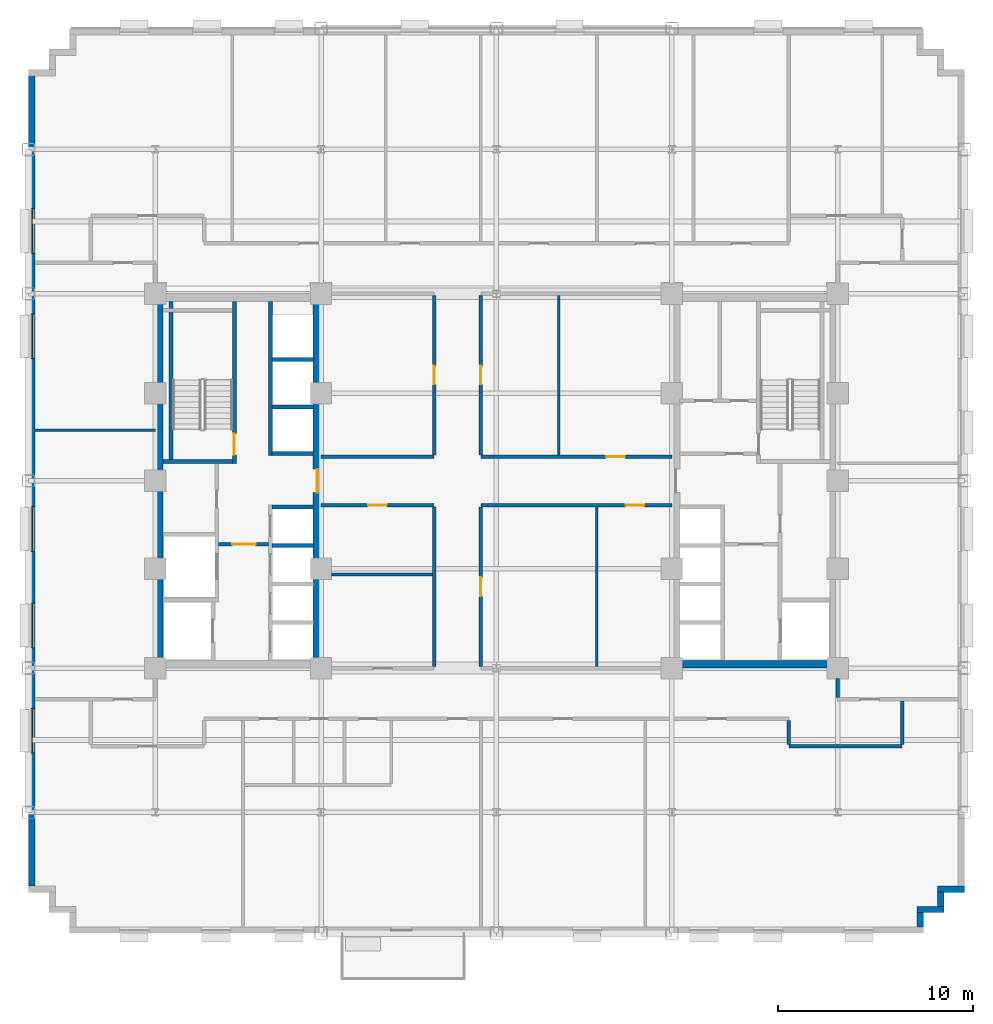
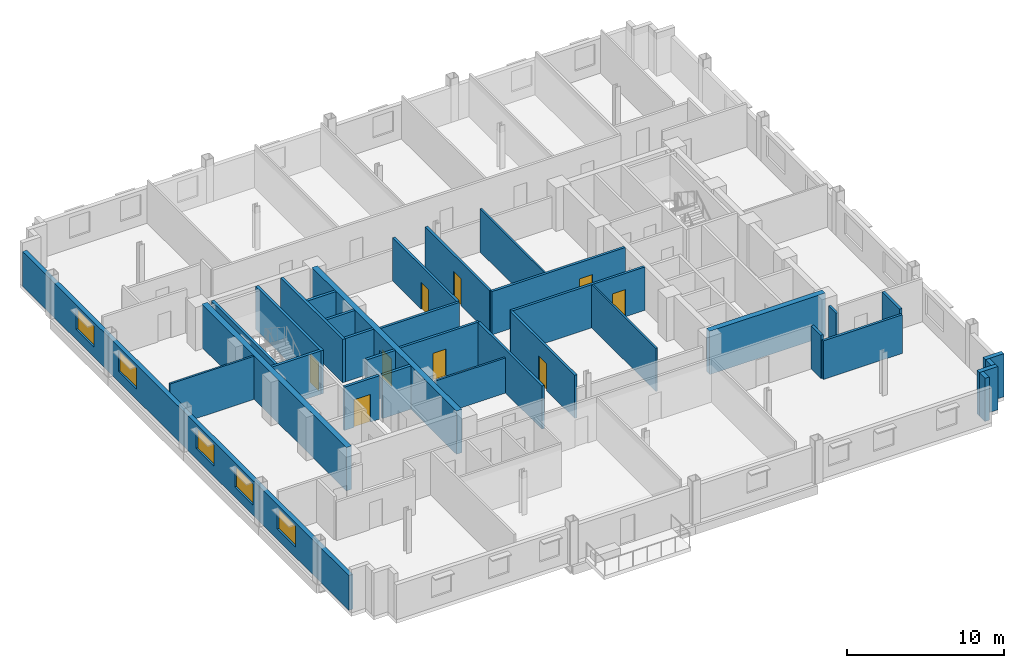
# One storey, part 7 of 14: 34 walls, 9 doors, 5 windows, 14 openings.
"""IFC4 building model written with IfcOpenShell, lengths in metres."""

from ifc_helpers import new_model, si_unit, direction, frame, frame_2d, origin, place, context, subcontext, project, spatial, rectangle, extrude, source, transform, mapped, material, layer, layer_set, type_object, type_shapes, element, fill, save


model = new_model("IFC4")

# Units and contexts
model_context = context("Model", 3, precision=1e-05, world=origin(), true_north=direction((0.0, 1.0)))
body_context = subcontext(model_context, "Body", "Model", "MODEL_VIEW")
ifc_project = project(units=[si_unit("LENGTHUNIT", "METRE"), si_unit("AREAUNIT", "SQUARE_METRE"), si_unit("VOLUMEUNIT", "CUBIC_METRE"), si_unit("PLANEANGLEUNIT", "RADIAN"), si_unit("MASSUNIT", "GRAM", prefix="KILO")], contexts=[model_context])

# Site, building, storey
site_placement = place(None, origin())
site = spatial("IfcSite", under=ifc_project, at=site_placement, CompositionType="ELEMENT")
building_placement = place(site_placement, origin())
building = spatial("IfcBuilding", under=site, at=building_placement, Name="Nuvemarco Arch Tower", CompositionType="ELEMENT")
storey_placement = place(building_placement, frame((0.0, 0.0, 109.25)))
storey = spatial("IfcBuildingStorey", under=building, at=storey_placement, Name="L28", CompositionType="ELEMENT", Elevation=109.25)

# Walls
ifc_material_1 = material(Name="Precast concrete C45/55", Category="concrete")
ifc_layer_1 = layer(ifc_material_1, 0.320068359375, Name="EW-MID-320")
ifc_layer_set_1 = layer_set([ifc_layer_1], Name="Precast concrete C45/55")
wall_type_1 = type_object("IfcWallType", Name="EW-MID-320", PredefinedType="STANDARD", material=ifc_layer_set_1)
wall_1_placement = place(storey_placement, frame((21.739990234375, -22.884033203125, 0.0), z_axis=(0.0, 0.0, 1.0), x_axis=(0.0, 1.0, 0.0)))
element("IfcWall", 1, at=wall_1_placement, inside=storey, type_object=wall_type_1, Name="L28 exterior precast facade wall 2", PredefinedType="STANDARD", context=body_context, shape_type="SweptSolid", body=[
    extrude(rectangle(XDim=0.738037109375, YDim=0.320068359375, at=frame_2d((0.369140625, 0.0))), origin(), (0.0, 0.0, 1.0), 3.360107421875),
])
wall_2_placement = place(storey_placement, frame((21.580078125, -21.989990234375, 0.0), z_axis=(0.0, 0.0, 1.0), x_axis=(1.0, 0.0, 0.0)))
element("IfcWall", 2, at=wall_2_placement, inside=storey, type_object=wall_type_1, Name="L28 exterior precast facade wall 3", PredefinedType="STANDARD", context=body_context, shape_type="SweptSolid", body=[
    extrude(rectangle(XDim=1.369873046875, YDim=0.320068359375, at=frame_2d((0.68505859375, 0.0))), origin(), (0.0, 0.0, 1.0), 3.360107421875),
])
wall_3_placement = place(storey_placement, frame((22.7900390625, -21.833984375, 0.0), z_axis=(0.0, 0.0, 1.0), x_axis=(0.0, 1.0, 0.0)))
element("IfcWall", 3, at=wall_3_placement, inside=storey, type_object=wall_type_1, Name="L28 exterior precast facade wall 4", PredefinedType="STANDARD", context=body_context, shape_type="SweptSolid", body=[
    extrude(rectangle(XDim=0.738037109375, YDim=0.320068359375, at=frame_2d((0.369140625, 0.0))), origin(), (0.0, 0.0, 1.0), 3.360107421875),
])
wall_4_placement = place(storey_placement, frame((22.6298828125, -20.93994140625, 0.0), z_axis=(0.0, 0.0, 1.0), x_axis=(1.0, 0.0, 0.0)))
element("IfcWall", 4, at=wall_4_placement, inside=storey, type_object=wall_type_1, Name="L28 exterior precast facade wall 5", PredefinedType="STANDARD", context=body_context, shape_type="SweptSolid", body=[
    extrude(rectangle(XDim=1.3701171875, YDim=0.320068359375, at=frame_2d((0.68505859375, 0.0))), origin(), (0.0, 0.0, 1.0), 3.360107421875),
])

# Wall, openings, windows
wall_5_placement = place(storey_placement, frame((-23.840087890625, -20.783935546875, 0.0), z_axis=(0.0, 0.0, 1.0), x_axis=(0.0, 1.0, 0.0)))
wall_5 = element("IfcWall", 5, at=wall_5_placement, inside=storey, type_object=wall_type_1, Name="L28 exterior precast facade wall 16", PredefinedType="STANDARD", context=body_context, shape_type="SweptSolid", body=[
    extrude(rectangle(XDim=41.56787109375, YDim=0.320068359375, at=frame_2d((20.783935546875, 0.0))), origin(), (0.0, 0.0, 1.0), 2.705078125),
])
opening_1_placement = place(wall_5_placement, frame((6.819091796875, 0.0, 0.800048828125)))
opening_1 = element("IfcOpeningElement", 6, at=opening_1_placement, cuts=wall_5, Name="Opening WN-10", PredefinedType="OPENING", context=body_context, shape_type="SweptSolid", body=[
    extrude(rectangle(XDim=2.300048828125, YDim=1.6201171875, at=frame_2d((1.14990234375, 0.81005859375))), frame((0.0, 0.169921875, 0.0), z_axis=(0.0, -1.0, 0.0), x_axis=(1.0, 0.0, 0.0)), (0.0, 0.0, 1.0), 0.340087890625),
])
opening_2_placement = place(wall_5_placement, frame((12.215087890625, 0.0, 0.800048828125)))
opening_2 = element("IfcOpeningElement", 7, at=opening_2_placement, cuts=wall_5, Name="Opening WN-10", PredefinedType="OPENING", context=body_context, shape_type="SweptSolid", body=[
    extrude(rectangle(XDim=2.300048828125, YDim=1.6201171875, at=frame_2d((1.14990234375, 0.81005859375))), frame((0.0, 0.169921875, 0.0), z_axis=(0.0, -1.0, 0.0), x_axis=(1.0, 0.0, 0.0)), (0.0, 0.0, 1.0), 0.340087890625),
])
opening_3_placement = place(wall_5_placement, frame((17.160888671875, 0.0, 0.800048828125)))
opening_3 = element("IfcOpeningElement", 8, at=opening_3_placement, cuts=wall_5, Name="Opening WN-10", PredefinedType="OPENING", context=body_context, shape_type="SweptSolid", body=[
    extrude(rectangle(XDim=2.300048828125, YDim=1.6201171875, at=frame_2d((1.14990234375, 0.81005859375))), frame((0.0, 0.169921875, 0.0), z_axis=(0.0, -1.0, 0.0), x_axis=(1.0, 0.0, 0.0)), (0.0, 0.0, 1.0), 0.340087890625),
])
opening_4_placement = place(wall_5_placement, frame((27.052978515625, 0.0, 0.800048828125)))
opening_4 = element("IfcOpeningElement", 9, at=opening_4_placement, cuts=wall_5, Name="Opening WN-10", PredefinedType="OPENING", context=body_context, shape_type="SweptSolid", body=[
    extrude(rectangle(XDim=2.300048828125, YDim=1.6201171875, at=frame_2d((1.14990234375, 0.81005859375))), frame((0.0, 0.169921875, 0.0), z_axis=(0.0, -1.0, 0.0), x_axis=(1.0, 0.0, 0.0)), (0.0, 0.0, 1.0), 0.340087890625),
])
opening_5_placement = place(wall_5_placement, frame((32.448974609375, 0.0, 0.800048828125)))
opening_5 = element("IfcOpeningElement", 10, at=opening_5_placement, cuts=wall_5, Name="Opening WN-10", PredefinedType="OPENING", context=body_context, shape_type="SweptSolid", body=[
    extrude(rectangle(XDim=2.300048828125, YDim=1.6201171875, at=frame_2d((1.14990234375, 0.81005859375))), frame((0.0, 0.169921875, 0.0), z_axis=(0.0, -1.0, 0.0), x_axis=(1.0, 0.0, 0.0)), (0.0, 0.0, 1.0), 0.340087890625),
])
ifc_material_2 = material(Name="Insulated solar-control glass", Category="glass")
window_type = type_object("IfcWindowType", Name="WN-STEP-2300x1700", PartitioningType="DOUBLE_PANEL_VERTICAL", PredefinedType="WINDOW", material=ifc_material_2)
shared_shape_1 = source(origin(), body_context, "Body", "SweptSolid", [
    extrude(rectangle(XDim=2.300048828125, YDim=1.6201171875, at=frame_2d((1.14990234375, 0.81005859375))), frame((0.0, 0.030029296875, 0.0), z_axis=(0.0, -1.0, 0.0), x_axis=(1.0, 0.0, 0.0)), (0.0, 0.0, 1.0), 0.06005859375),
])
type_shapes(window_type, [shared_shape_1])
window_1_placement = place(opening_1_placement, origin())
window_1 = element("IfcWindow", 11, at=window_1_placement, inside=storey, type_object=window_type, Name="L28 punched facade window 2", OverallHeight=1.6201171875, OverallWidth=2.300048828125, PartitioningType="SINGLE_PANEL", PredefinedType="WINDOW", context=body_context, shape_type="MappedRepresentation", body=[
    mapped(shared_shape_1, transform((0.0, 0.0, 0.0), scale=1.0)),
])
fill(opening_1, window_1)
window_2_placement = place(opening_2_placement, origin())
window_2 = element("IfcWindow", 12, at=window_2_placement, inside=storey, type_object=window_type, Name="L28 punched facade window 3", OverallHeight=1.6201171875, OverallWidth=2.300048828125, PartitioningType="SINGLE_PANEL", PredefinedType="WINDOW", context=body_context, shape_type="MappedRepresentation", body=[
    mapped(shared_shape_1, transform((0.0, 0.0, 0.0), scale=1.0)),
])
fill(opening_2, window_2)
window_3_placement = place(opening_3_placement, origin())
window_3 = element("IfcWindow", 13, at=window_3_placement, inside=storey, type_object=window_type, Name="L28 punched facade window 4", OverallHeight=1.6201171875, OverallWidth=2.300048828125, PartitioningType="SINGLE_PANEL", PredefinedType="WINDOW", context=body_context, shape_type="MappedRepresentation", body=[
    mapped(shared_shape_1, transform((0.0, 0.0, 0.0), scale=1.0)),
])
fill(opening_3, window_3)
window_4_placement = place(opening_4_placement, origin())
window_4 = element("IfcWindow", 14, at=window_4_placement, inside=storey, type_object=window_type, Name="L28 punched facade window 6", OverallHeight=1.6201171875, OverallWidth=2.300048828125, PartitioningType="SINGLE_PANEL", PredefinedType="WINDOW", context=body_context, shape_type="MappedRepresentation", body=[
    mapped(shared_shape_1, transform((0.0, 0.0, 0.0), scale=1.0)),
])
fill(opening_4, window_4)
window_5_placement = place(opening_5_placement, origin())
window_5 = element("IfcWindow", 15, at=window_5_placement, inside=storey, type_object=window_type, Name="L28 punched facade window 7", OverallHeight=1.6201171875, OverallWidth=2.300048828125, PartitioningType="SINGLE_PANEL", PredefinedType="WINDOW", context=body_context, shape_type="MappedRepresentation", body=[
    mapped(shared_shape_1, transform((0.0, 0.0, 0.0), scale=1.0)),
])
fill(opening_5, window_5)

# Wall
ifc_material_3 = material(Name="Concrete C60/75", Category="concrete")
ifc_layer_2 = layer(ifc_material_3, 0.39990234375, Name="WL-CORE-400")
ifc_layer_set_2 = layer_set([ifc_layer_2], Name="Concrete C60/75")
wall_type_2 = type_object("IfcWallType", Name="WL-CORE-400", PredefinedType="SHEAR", material=ifc_layer_set_2)
wall_6_placement = place(storey_placement, frame((-17.300048828125, -9.205078125, 0.0), z_axis=(0.0, 0.0, 1.0), x_axis=(0.0, 1.0, 0.0)))
element("IfcWall", 16, at=wall_6_placement, inside=storey, type_object=wall_type_2, Name="L28 W-core shear wall W", PredefinedType="SHEAR", context=body_context, shape_type="SweptSolid", body=[
    extrude(rectangle(XDim=18.41015625, YDim=0.39990234375, at=frame_2d((9.205078125, 0.0))), origin(), (0.0, 0.0, 1.0), 3.3701171875),
])

# Wall, opening, door
wall_7_placement = place(storey_placement, frame((-9.199951171875, -9.205078125, 0.0), z_axis=(0.0, 0.0, 1.0), x_axis=(0.0, 1.0, 0.0)))
wall_7 = element("IfcWall", 17, at=wall_7_placement, inside=storey, type_object=wall_type_2, Name="L28 W-core shear wall E", PredefinedType="SHEAR", context=body_context, shape_type="SweptSolid", body=[
    extrude(rectangle(XDim=18.41015625, YDim=0.39990234375, at=frame_2d((9.205078125, 0.0))), origin(), (0.0, 0.0, 1.0), 3.3701171875),
])
opening_6_placement = place(wall_7_placement, frame((8.60498046875, 0.0, 0.0)))
opening_6 = element("IfcOpeningElement", 18, at=opening_6_placement, cuts=wall_7, Name="Opening FD-2", PredefinedType="OPENING", context=body_context, shape_type="SweptSolid", body=[
    extrude(rectangle(XDim=1.199951171875, YDim=2.14990234375, at=frame_2d((0.60009765625, 1.074951171875))), frame((0.0, 0.2099609375, 0.0), z_axis=(0.0, -1.0, 0.0), x_axis=(1.0, 0.0, 0.0)), (0.0, 0.0, 1.0), 0.419921875),
])
ifc_material_4 = material(Name="Anodised steel fire door", Category="steel")
door_type_1 = type_object("IfcDoorType", Name="DR-FFLOB-FD", OperationType="NOTDEFINED", PredefinedType="DOOR", material=ifc_material_4)
shared_shape_2 = source(origin(), body_context, "Body", "SweptSolid", [
    extrude(rectangle(XDim=1.199951171875, YDim=2.14990234375, at=frame_2d((0.60009765625, 1.074951171875))), frame((0.0, 0.02490234375, 0.0), z_axis=(0.0, -1.0, 0.0), x_axis=(1.0, 0.0, 0.0)), (0.0, 0.0, 1.0), 0.050048828125),
])
type_shapes(door_type_1, [shared_shape_2])
door_1_placement = place(opening_6_placement, origin())
door_1 = element("IfcDoor", 19, at=door_1_placement, inside=storey, type_object=door_type_1, Name="L28 door FD-L28-WCORE-E", OperationType="SINGLE_SWING_LEFT", OverallHeight=2.14990234375, OverallWidth=1.199951171875, PredefinedType="DOOR", context=body_context, shape_type="MappedRepresentation", body=[
    mapped(shared_shape_2, transform((0.0, 0.0, 0.0), scale=1.0)),
])
fill(opening_6, door_1)

# Walls
wall_8_placement = place(storey_placement, frame((9.0, -9.39990234375, 0.0), z_axis=(0.0, 0.0, 1.0), x_axis=(1.0, 0.0, 0.0)))
element("IfcWall", 20, at=wall_8_placement, inside=storey, type_object=wall_type_2, Name="L28 E-core shear wall S", PredefinedType="SHEAR", context=body_context, shape_type="SweptSolid", body=[
    extrude(rectangle(XDim=8.5, YDim=0.39990234375, at=frame_2d((4.25, 0.0))), origin(), (0.0, 0.0, 1.0), 3.3701171875),
])
ifc_material_5 = material(Name="Fire-rated gypsum drywall partition")
ifc_layer_3 = layer(ifc_material_5, 0.179931640625, Name="WL-CORR-180")
ifc_layer_set_3 = layer_set([ifc_layer_3], Name="Fire-rated gypsum drywall partition")
wall_type_3 = type_object("IfcWallType", Name="WL-CORR-180", PredefinedType="PARTITIONING", material=ifc_layer_set_3)
wall_9_placement = place(storey_placement, frame((15.0, -13.60009765625, 0.0), z_axis=(0.0, 0.0, 1.0), x_axis=(1.0, 0.0, 0.0)))
element("IfcWall", 21, at=wall_9_placement, inside=storey, type_object=wall_type_3, Name="L28 interior wall IW-L28-003", PredefinedType="PARTITIONING", context=body_context, shape_type="SweptSolid", body=[
    extrude(rectangle(XDim=5.800048828125, YDim=0.179931640625, at=frame_2d((2.89990234375, 0.0))), origin(), (0.0, 0.0, 1.0), 2.998046875),
])

# Wall, opening, door
wall_10_placement = place(storey_placement, frame((-9.0, -1.25, 0.0), z_axis=(0.0, 0.0, 1.0), x_axis=(1.0, 0.0, 0.0)))
wall_10 = element("IfcWall", 22, at=wall_10_placement, inside=storey, type_object=wall_type_3, Name="L28 interior wall IW-L28-011", PredefinedType="PARTITIONING", context=body_context, shape_type="SweptSolid", body=[
    extrude(rectangle(XDim=5.800048828125, YDim=0.179931640625, at=frame_2d((2.89990234375, 0.0))), origin(), (0.0, 0.0, 1.0), 3.360107421875),
])
opening_7_placement = place(wall_10_placement, frame((2.419921875, 0.0, 0.0)))
opening_7 = element("IfcOpeningElement", 23, at=opening_7_placement, cuts=wall_10, Name="Opening FD-5", PredefinedType="OPENING", context=body_context, shape_type="SweptSolid", body=[
    extrude(rectangle(XDim=0.9599609375, YDim=2.10009765625, at=frame_2d((0.47998046875, 1.050048828125))), frame((0.0, 0.099853515625, 0.0), z_axis=(0.0, -1.0, 0.0), x_axis=(1.0, 0.0, 0.0)), (0.0, 0.0, 1.0), 0.199951171875),
])
ifc_material_6 = material(Name="Timber fire door", Category="wood")
door_type_2 = type_object("IfcDoorType", Name="DR-CORR-FD", OperationType="NOTDEFINED", PredefinedType="DOOR", material=ifc_material_6)
shared_shape_3 = source(origin(), body_context, "Body", "SweptSolid", [
    extrude(rectangle(XDim=0.9599609375, YDim=2.10009765625, at=frame_2d((0.47998046875, 1.050048828125))), frame((0.0, 0.02490234375, 0.0), z_axis=(0.0, -1.0, 0.0), x_axis=(1.0, 0.0, 0.0)), (0.0, 0.0, 1.0), 0.050048828125),
])
type_shapes(door_type_2, [shared_shape_3])
door_2_placement = place(opening_7_placement, origin())
door_2 = element("IfcDoor", 24, at=door_2_placement, inside=storey, type_object=door_type_2, Name="L28 door DR-L28-C_SW1", OperationType="SINGLE_SWING_LEFT", OverallHeight=2.10009765625, OverallWidth=0.9599609375, PredefinedType="DOOR", context=body_context, shape_type="MappedRepresentation", body=[
    mapped(shared_shape_3, transform((0.0, 0.0, 0.0), scale=1.0)),
])
fill(opening_7, door_2)

wall_11_placement = place(storey_placement, frame((-0.800048828125, -1.25, 0.0), z_axis=(0.0, 0.0, 1.0), x_axis=(1.0, 0.0, 0.0)))
wall_11 = element("IfcWall", 25, at=wall_11_placement, inside=storey, type_object=wall_type_3, Name="L28 interior wall IW-L28-012", PredefinedType="PARTITIONING", context=body_context, shape_type="SweptSolid", body=[
    extrude(rectangle(XDim=9.800048828125, YDim=0.179931640625, at=frame_2d((4.89990234375, 0.0))), origin(), (0.0, 0.0, 1.0), 3.360107421875),
])
opening_8_placement = place(wall_11_placement, frame((7.419921875, 0.0, 0.0)))
opening_8 = element("IfcOpeningElement", 26, at=opening_8_placement, cuts=wall_11, Name="Opening FD-5", PredefinedType="OPENING", context=body_context, shape_type="SweptSolid", body=[
    extrude(rectangle(XDim=0.9599609375, YDim=2.10009765625, at=frame_2d((0.47998046875, 1.050048828125))), frame((0.0, 0.099853515625, 0.0), z_axis=(0.0, -1.0, 0.0), x_axis=(1.0, 0.0, 0.0)), (0.0, 0.0, 1.0), 0.199951171875),
])
door_3_placement = place(opening_8_placement, origin())
door_3 = element("IfcDoor", 27, at=door_3_placement, inside=storey, type_object=door_type_2, Name="L28 door DR-L28-C_SE2", OperationType="SINGLE_SWING_LEFT", OverallHeight=2.10009765625, OverallWidth=0.9599609375, PredefinedType="DOOR", context=body_context, shape_type="MappedRepresentation", body=[
    mapped(shared_shape_3, transform((0.0, 0.0, 0.0), scale=1.0)),
])
fill(opening_8, door_3)

# Wall
wall_12_placement = place(storey_placement, frame((-9.0, 1.25, 0.0), z_axis=(0.0, 0.0, 1.0), x_axis=(1.0, 0.0, 0.0)))
element("IfcWall", 28, at=wall_12_placement, inside=storey, type_object=wall_type_3, Name="L28 interior wall IW-L28-014", PredefinedType="PARTITIONING", context=body_context, shape_type="SweptSolid", body=[
    extrude(rectangle(XDim=5.800048828125, YDim=0.179931640625, at=frame_2d((2.89990234375, 0.0))), origin(), (0.0, 0.0, 1.0), 3.360107421875),
])

# Wall, opening, door
wall_13_placement = place(storey_placement, frame((-0.800048828125, 1.25, 0.0), z_axis=(0.0, 0.0, 1.0), x_axis=(1.0, 0.0, 0.0)))
wall_13 = element("IfcWall", 29, at=wall_13_placement, inside=storey, type_object=wall_type_3, Name="L28 interior wall IW-L28-015", PredefinedType="PARTITIONING", context=body_context, shape_type="SweptSolid", body=[
    extrude(rectangle(XDim=9.800048828125, YDim=0.179931640625, at=frame_2d((4.89990234375, 0.0))), origin(), (0.0, 0.0, 1.0), 3.360107421875),
])
opening_9_placement = place(wall_13_placement, frame((6.419921875, 0.0, 0.0)))
opening_9 = element("IfcOpeningElement", 30, at=opening_9_placement, cuts=wall_13, Name="Opening FD-5", PredefinedType="OPENING", context=body_context, shape_type="SweptSolid", body=[
    extrude(rectangle(XDim=0.9599609375, YDim=2.10009765625, at=frame_2d((0.47998046875, 1.050048828125))), frame((0.0, 0.099853515625, 0.0), z_axis=(0.0, -1.0, 0.0), x_axis=(1.0, 0.0, 0.0)), (0.0, 0.0, 1.0), 0.199951171875),
])
door_4_placement = place(opening_9_placement, origin())
door_4 = element("IfcDoor", 31, at=door_4_placement, inside=storey, type_object=door_type_2, Name="L28 door DR-L28-C_NE2", OperationType="SINGLE_SWING_RIGHT", OverallHeight=2.10009765625, OverallWidth=0.9599609375, PredefinedType="DOOR", context=body_context, shape_type="MappedRepresentation", body=[
    mapped(shared_shape_3, transform((0.0, 0.0, 0.0), scale=1.0)),
])
fill(opening_9, door_4)

# Wall
wall_14_placement = place(storey_placement, frame((-3.199951171875, -9.513916015625, 0.0), z_axis=(0.0, 0.0, 1.0), x_axis=(0.0, 1.0, 0.0)))
element("IfcWall", 32, at=wall_14_placement, inside=storey, type_object=wall_type_3, Name="L28 interior wall IW-L28-037", PredefinedType="PARTITIONING", context=body_context, shape_type="SweptSolid", body=[
    extrude(rectangle(XDim=8.177978515625, YDim=0.179931640625, at=frame_2d((4.0888671875, 0.0))), origin(), (0.0, 0.0, 1.0), 3.360107421875),
])

# Wall, opening, door
wall_15_placement = place(storey_placement, frame((-3.199951171875, 1.3359375, 0.0), z_axis=(0.0, 0.0, 1.0), x_axis=(0.0, 1.0, 0.0)))
wall_15 = element("IfcWall", 33, at=wall_15_placement, inside=storey, type_object=wall_type_3, Name="L28 interior wall IW-L28-038", PredefinedType="PARTITIONING", context=body_context, shape_type="SweptSolid", body=[
    extrude(rectangle(XDim=8.177978515625, YDim=0.179931640625, at=frame_2d((4.0888671875, 0.0))), origin(), (0.0, 0.0, 1.0), 3.360107421875),
])
opening_10_placement = place(wall_15_placement, frame((3.60888671875, 0.0, 0.0)))
opening_10 = element("IfcOpeningElement", 34, at=opening_10_placement, cuts=wall_15, Name="Opening FD-5", PredefinedType="OPENING", context=body_context, shape_type="SweptSolid", body=[
    extrude(rectangle(XDim=0.9599609375, YDim=2.10009765625, at=frame_2d((0.47998046875, 1.050048828125))), frame((0.0, 0.099853515625, 0.0), z_axis=(0.0, -1.0, 0.0), x_axis=(1.0, 0.0, 0.0)), (0.0, 0.0, 1.0), 0.199951171875),
])
door_5_placement = place(opening_10_placement, origin())
door_5 = element("IfcDoor", 35, at=door_5_placement, inside=storey, type_object=door_type_2, Name="L28 door DR-L28-C_NW", OperationType="SINGLE_SWING_LEFT", OverallHeight=2.10009765625, OverallWidth=0.9599609375, PredefinedType="DOOR", context=body_context, shape_type="MappedRepresentation", body=[
    mapped(shared_shape_3, transform((0.0, 0.0, 0.0), scale=1.0)),
])
fill(opening_10, door_5)

wall_16_placement = place(storey_placement, frame((-0.800048828125, -9.513916015625, 0.0), z_axis=(0.0, 0.0, 1.0), x_axis=(0.0, 1.0, 0.0)))
wall_16 = element("IfcWall", 36, at=wall_16_placement, inside=storey, type_object=wall_type_3, Name="L28 interior wall IW-L28-040", PredefinedType="PARTITIONING", context=body_context, shape_type="SweptSolid", body=[
    extrude(rectangle(XDim=8.177978515625, YDim=0.179931640625, at=frame_2d((4.0888671875, 0.0))), origin(), (0.0, 0.0, 1.0), 3.360107421875),
])
opening_11_placement = place(wall_16_placement, frame((3.60888671875, 0.0, 0.0)))
opening_11 = element("IfcOpeningElement", 37, at=opening_11_placement, cuts=wall_16, Name="Opening FD-5", PredefinedType="OPENING", context=body_context, shape_type="SweptSolid", body=[
    extrude(rectangle(XDim=0.9599609375, YDim=2.10009765625, at=frame_2d((0.47998046875, 1.050048828125))), frame((0.0, 0.099853515625, 0.0), z_axis=(0.0, -1.0, 0.0), x_axis=(1.0, 0.0, 0.0)), (0.0, 0.0, 1.0), 0.199951171875),
])
door_6_placement = place(opening_11_placement, origin())
door_6 = element("IfcDoor", 38, at=door_6_placement, inside=storey, type_object=door_type_2, Name="L28 door DR-L28-C_SE1", OperationType="SINGLE_SWING_LEFT", OverallHeight=2.10009765625, OverallWidth=0.9599609375, PredefinedType="DOOR", context=body_context, shape_type="MappedRepresentation", body=[
    mapped(shared_shape_3, transform((0.0, 0.0, 0.0), scale=1.0)),
])
fill(opening_11, door_6)

wall_17_placement = place(storey_placement, frame((-0.800048828125, 1.3359375, 0.0), z_axis=(0.0, 0.0, 1.0), x_axis=(0.0, 1.0, 0.0)))
wall_17 = element("IfcWall", 39, at=wall_17_placement, inside=storey, type_object=wall_type_3, Name="L28 interior wall IW-L28-041", PredefinedType="PARTITIONING", context=body_context, shape_type="SweptSolid", body=[
    extrude(rectangle(XDim=8.177978515625, YDim=0.179931640625, at=frame_2d((4.0888671875, 0.0))), origin(), (0.0, 0.0, 1.0), 3.360107421875),
])
opening_12_placement = place(wall_17_placement, frame((3.60888671875, 0.0, 0.0)))
opening_12 = element("IfcOpeningElement", 40, at=opening_12_placement, cuts=wall_17, Name="Opening FD-5", PredefinedType="OPENING", context=body_context, shape_type="SweptSolid", body=[
    extrude(rectangle(XDim=0.9599609375, YDim=2.10009765625, at=frame_2d((0.47998046875, 1.050048828125))), frame((0.0, 0.099853515625, 0.0), z_axis=(0.0, -1.0, 0.0), x_axis=(1.0, 0.0, 0.0)), (0.0, 0.0, 1.0), 0.199951171875),
])
door_7_placement = place(opening_12_placement, origin())
door_7 = element("IfcDoor", 41, at=door_7_placement, inside=storey, type_object=door_type_2, Name="L28 door DR-L28-C_NE1", OperationType="SINGLE_SWING_RIGHT", OverallHeight=2.10009765625, OverallWidth=0.9599609375, PredefinedType="DOOR", context=body_context, shape_type="MappedRepresentation", body=[
    mapped(shared_shape_3, transform((0.0, 0.0, 0.0), scale=1.0)),
])
fill(opening_12, door_7)

# Walls
wall_18_placement = place(storey_placement, frame((15.0, -13.513916015625, 0.0), z_axis=(0.0, 0.0, 1.0), x_axis=(0.0, 1.0, 0.0)))
element("IfcWall", 42, at=wall_18_placement, inside=storey, type_object=wall_type_3, Name="L28 interior wall IW-L28-048", PredefinedType="PARTITIONING", context=body_context, shape_type="SweptSolid", body=[
    extrude(rectangle(XDim=1.22802734375, YDim=0.179931640625, at=frame_2d((0.614013671875, 0.0))), origin(), (0.0, 0.0, 1.0), 3.360107421875),
])
wall_19_placement = place(storey_placement, frame((17.5, -11.114013671875, 0.0), z_axis=(0.0, 0.0, 1.0), x_axis=(0.0, 1.0, 0.0)))
element("IfcWall", 43, at=wall_19_placement, inside=storey, type_object=wall_type_3, Name="L28 interior wall IW-L28-050", PredefinedType="PARTITIONING", context=body_context, shape_type="SweptSolid", body=[
    extrude(rectangle(XDim=0.968017578125, YDim=0.179931640625, at=frame_2d((0.48388671875, 0.0))), origin(), (0.0, 0.0, 1.0), 2.738037109375),
])
wall_20_placement = place(storey_placement, frame((20.800048828125, -13.513916015625, 0.0), z_axis=(0.0, 0.0, 1.0), x_axis=(0.0, 1.0, 0.0)))
element("IfcWall", 44, at=wall_20_placement, inside=storey, type_object=wall_type_3, Name="L28 interior wall IW-L28-053", PredefinedType="PARTITIONING", context=body_context, shape_type="SweptSolid", body=[
    extrude(rectangle(XDim=2.22802734375, YDim=0.179931640625, at=frame_2d((1.114013671875, 0.0))), origin(), (0.0, 0.0, 1.0), 3.360107421875),
])
ifc_material_7 = material(Name="Glazed acoustic office partition")
ifc_layer_4 = layer(ifc_material_7, 0.1298828125, Name="WL-EXEC-130")
ifc_layer_set_4 = layer_set([ifc_layer_4], Name="Glazed acoustic office partition")
wall_type_4 = type_object("IfcWallType", Name="WL-EXEC-130", PredefinedType="PARTITIONING", material=ifc_layer_set_4)
for number, where, z_axis, x_axis, name in (
    (45, (3.199951171875, 1.3359375, 0.0), (0.0, 0.0, 1.0), (0.0, 1.0, 0.0), "L28 interior wall IW-L28-043"),
    (46, (5.14990234375, -9.513916015625, 0.0), (0.0, 0.0, 1.0), (0.0, 1.0, 0.0), "L28 interior wall IW-L28-044"),
):
    element("IfcWall", number, at=place(storey_placement, frame(where, z_axis=z_axis, x_axis=x_axis)), inside=storey, type_object=wall_type_4, Name=name, PredefinedType="PARTITIONING", context=body_context, shape_type="SweptSolid", body=[
        extrude(rectangle(XDim=8.177978515625, YDim=0.1298828125, at=frame_2d((4.0888671875, 0.0))), origin(), (0.0, 0.0, 1.0), 3.360107421875),
    ])
ifc_material_8 = material(Name="Gypsum plasterboard partition")
ifc_layer_5 = layer(ifc_material_8, 0.139892578125, Name="WL-ROOM-140")
ifc_layer_set_5 = layer_set([ifc_layer_5], Name="Gypsum plasterboard partition")
wall_type_5 = type_object("IfcWallType", Name="WL-ROOM-140", PredefinedType="PARTITIONING", material=ifc_layer_set_5)
wall_21_placement = place(storey_placement, frame((-8.4541015625, -4.800048828125, 0.0), z_axis=(0.0, 0.0, 1.0), x_axis=(1.0, 0.0, 0.0)))
element("IfcWall", 47, at=wall_21_placement, inside=storey, type_object=wall_type_5, Name="L28 interior wall IW-L28-010", PredefinedType="PARTITIONING", context=body_context, shape_type="SweptSolid", body=[
    extrude(rectangle(XDim=5.168212890625, YDim=0.139892578125, at=frame_2d((2.583984375, 0.0))), origin(), (0.0, 0.0, 1.0), 2.738037109375),
])
wall_22_placement = place(storey_placement, frame((-23.679931640625, 2.60009765625, 0.0), z_axis=(0.0, 0.0, 1.0), x_axis=(1.0, 0.0, 0.0)))
element("IfcWall", 48, at=wall_22_placement, inside=storey, type_object=wall_type_5, Name="L28 interior wall IW-L28-016", PredefinedType="PARTITIONING", context=body_context, shape_type="SweptSolid", body=[
    extrude(rectangle(XDim=6.179931640625, YDim=0.139892578125, at=frame_2d((3.08984375, 0.0))), origin(), (0.0, 0.0, 1.0), 3.360107421875),
])

# Wall, opening, door
ifc_material_9 = material(Name="Concrete C50/60", Category="concrete")
ifc_layer_6 = layer(ifc_material_9, 0.199951171875, Name="WL-SHAFT-220")
ifc_layer_set_6 = layer_set([ifc_layer_6], Name="Concrete C50/60")
wall_type_6 = type_object("IfcWallType", Name="WL-SHAFT-220", PredefinedType="SHEAR", material=ifc_layer_set_6)
wall_23_placement = place(storey_placement, frame((-13.43994140625, 0.89990234375, 0.0), z_axis=(0.0, 0.0, 1.0), x_axis=(0.0, 1.0, 0.0)))
wall_23 = element("IfcWall", 49, at=wall_23_placement, inside=storey, type_object=wall_type_6, Name="L28 structural shaft wall SW-L28-W-ST1E", PredefinedType="SHEAR", context=body_context, shape_type="SweptSolid", body=[
    extrude(rectangle(XDim=8.30517578125, YDim=0.199951171875, at=frame_2d((4.152587890625, 0.0))), origin(), (0.0, 0.0, 1.0), 3.3701171875),
])
opening_13_placement = place(wall_23_placement, frame((1.530029296875, 0.0, 0.0), z_axis=(0.0, 0.0, 1.0), x_axis=(-1.0, 0.0, 0.0)))
opening_13 = element("IfcOpeningElement", 50, at=opening_13_placement, cuts=wall_23, Name="Opening FD-1", PredefinedType="OPENING", context=body_context, shape_type="SweptSolid", body=[
    extrude(rectangle(XDim=1.10009765625, YDim=2.14990234375, at=frame_2d((0.550048828125, 1.074951171875))), frame((0.0, 0.10986328125, 0.0), z_axis=(0.0, -1.0, 0.0), x_axis=(1.0, 0.0, 0.0)), (0.0, 0.0, 1.0), 0.219970703125),
])
door_type_3 = type_object("IfcDoorType", Name="DR-STAIR-FD", OperationType="NOTDEFINED", PredefinedType="DOOR", material=ifc_material_4)
shared_shape_4 = source(origin(), body_context, "Body", "SweptSolid", [
    extrude(rectangle(XDim=1.10009765625, YDim=2.14990234375, at=frame_2d((0.550048828125, 1.074951171875))), frame((0.0, 0.02490234375, 0.0), z_axis=(0.0, -1.0, 0.0), x_axis=(1.0, 0.0, 0.0)), (0.0, 0.0, 1.0), 0.050048828125),
])
type_shapes(door_type_3, [shared_shape_4])
door_8_placement = place(opening_13_placement, origin())
door_8 = element("IfcDoor", 51, at=door_8_placement, inside=storey, type_object=door_type_3, Name="L28 door FD-L28-ST1", OperationType="SINGLE_SWING_LEFT", OverallHeight=2.14990234375, OverallWidth=1.10009765625, PredefinedType="DOOR", context=body_context, shape_type="MappedRepresentation", body=[
    mapped(shared_shape_4, transform((0.0, 0.0, 0.0), scale=1.0)),
])
fill(opening_13, door_8)

# Walls
wall_24_placement = place(storey_placement, frame((-17.10498046875, 1.0, 0.0), z_axis=(0.0, 0.0, 1.0), x_axis=(1.0, 0.0, 0.0)))
element("IfcWall", 52, at=wall_24_placement, inside=storey, type_object=wall_type_6, Name="L28 structural shaft wall SW-L28-W-ST1S", PredefinedType="SHEAR", context=body_context, shape_type="SweptSolid", body=[
    extrude(rectangle(XDim=3.570068359375, YDim=0.199951171875, at=frame_2d((1.78515625, 0.0))), origin(), (0.0, 0.0, 1.0), 3.3701171875),
])
wall_25_placement = place(storey_placement, frame((-16.699951171875, 1.094970703125, 0.0), z_axis=(0.0, 0.0, 1.0), x_axis=(0.0, 1.0, 0.0)))
element("IfcWall", 53, at=wall_25_placement, inside=storey, type_object=wall_type_6, Name="L28 structural shaft wall SW-L28-W-ST1W", PredefinedType="SHEAR", context=body_context, shape_type="SweptSolid", body=[
    extrude(rectangle(XDim=8.110107421875, YDim=0.199951171875, at=frame_2d((4.05517578125, 0.0))), origin(), (0.0, 0.0, 1.0), 3.3701171875),
])

# Wall, opening, door
wall_26_placement = place(storey_placement, frame((-14.2548828125, -3.25, 0.0), z_axis=(0.0, 0.0, 1.0), x_axis=(1.0, 0.0, 0.0)))
wall_26 = element("IfcWall", 54, at=wall_26_placement, inside=storey, type_object=wall_type_6, Name="L28 structural shaft wall SW-L28-W-FFN", PredefinedType="SHEAR", context=body_context, shape_type="SweptSolid", body=[
    extrude(rectangle(XDim=2.559814453125, YDim=0.199951171875, at=frame_2d((1.27978515625, 0.0))), origin(), (0.0, 0.0, 1.0), 3.3701171875),
])
opening_14_placement = place(wall_26_placement, frame((0.705078125, 0.0, 0.0)))
opening_14 = element("IfcOpeningElement", 55, at=opening_14_placement, cuts=wall_26, Name="Opening FD-2", PredefinedType="OPENING", context=body_context, shape_type="SweptSolid", body=[
    extrude(rectangle(XDim=1.199951171875, YDim=2.14990234375, at=frame_2d((0.60009765625, 1.074951171875))), frame((0.0, 0.10986328125, 0.0), z_axis=(0.0, -1.0, 0.0), x_axis=(1.0, 0.0, 0.0)), (0.0, 0.0, 1.0), 0.219970703125),
])
door_9_placement = place(opening_14_placement, origin())
door_9 = element("IfcDoor", 56, at=door_9_placement, inside=storey, type_object=door_type_1, Name="L28 door FD-L28-WFF1", OperationType="SINGLE_SWING_LEFT", OverallHeight=2.14990234375, OverallWidth=1.199951171875, PredefinedType="DOOR", context=body_context, shape_type="MappedRepresentation", body=[
    mapped(shared_shape_2, transform((0.0, 0.0, 0.0), scale=1.0)),
])
fill(opening_14, door_9)

# Walls
for number, where, z_axis, x_axis, name in (
    (57, (-11.5048828125, -3.31005859375, 0.0), (0.0, 0.0, 1.0), (1.0, 0.0, 0.0), "L28 structural shaft wall SW-L28-W-PLD3"),
    (58, (-11.5048828125, -1.330078125, 0.0), (0.0, 0.0, 1.0), (1.0, 0.0, 0.0), "L28 structural shaft wall SW-L28-W-PLD4"),
):
    element("IfcWall", number, at=place(storey_placement, frame(where, z_axis=z_axis, x_axis=x_axis)), inside=storey, type_object=wall_type_6, Name=name, PredefinedType="SHEAR", context=body_context, shape_type="SweptSolid", body=[
        extrude(rectangle(XDim=2.10986328125, YDim=0.199951171875, at=frame_2d((1.054931640625, 0.0))), origin(), (0.0, 0.0, 1.0), 3.3701171875),
    ])
wall_27_placement = place(storey_placement, frame((-11.60009765625, 1.300048828125, 0.0), z_axis=(0.0, 0.0, 1.0), x_axis=(0.0, 1.0, 0.0)))
element("IfcWall", 59, at=wall_27_placement, inside=storey, type_object=wall_type_6, Name="L28 structural shaft wall SW-L28-W-PHW", PredefinedType="SHEAR", context=body_context, shape_type="SweptSolid", body=[
    extrude(rectangle(XDim=7.905029296875, YDim=0.199951171875, at=frame_2d((3.95263671875, 0.0))), origin(), (0.0, 0.0, 1.0), 3.3701171875),
])
for number, where, z_axis, x_axis, name in (
    (60, (-11.5048828125, 1.39990234375, 0.0), (0.0, 0.0, 1.0), (1.0, 0.0, 0.0), "L28 structural shaft wall SW-L28-W-PHD1"),
    (61, (-11.5048828125, 3.800048828125, 0.0), (0.0, 0.0, 1.0), (1.0, 0.0, 0.0), "L28 structural shaft wall SW-L28-W-PHD2"),
    (62, (-11.5048828125, 6.219970703125, 0.0), (0.0, 0.0, 1.0), (1.0, 0.0, 0.0), "L28 structural shaft wall SW-L28-W-PHD3"),
):
    element("IfcWall", number, at=place(storey_placement, frame(where, z_axis=z_axis, x_axis=x_axis)), inside=storey, type_object=wall_type_6, Name=name, PredefinedType="SHEAR", context=body_context, shape_type="SweptSolid", body=[
        extrude(rectangle(XDim=2.10986328125, YDim=0.199951171875, at=frame_2d((1.054931640625, 0.0))), origin(), (0.0, 0.0, 1.0), 3.3701171875),
    ])

save(model, "model.ifc")
